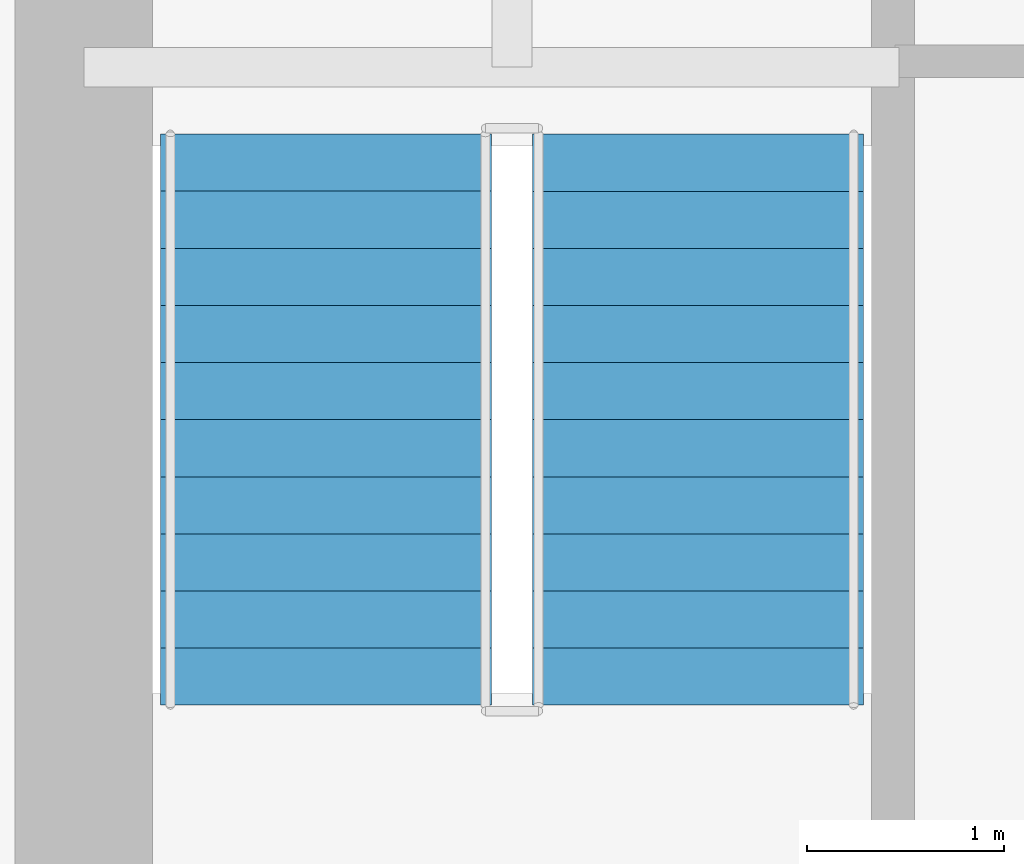
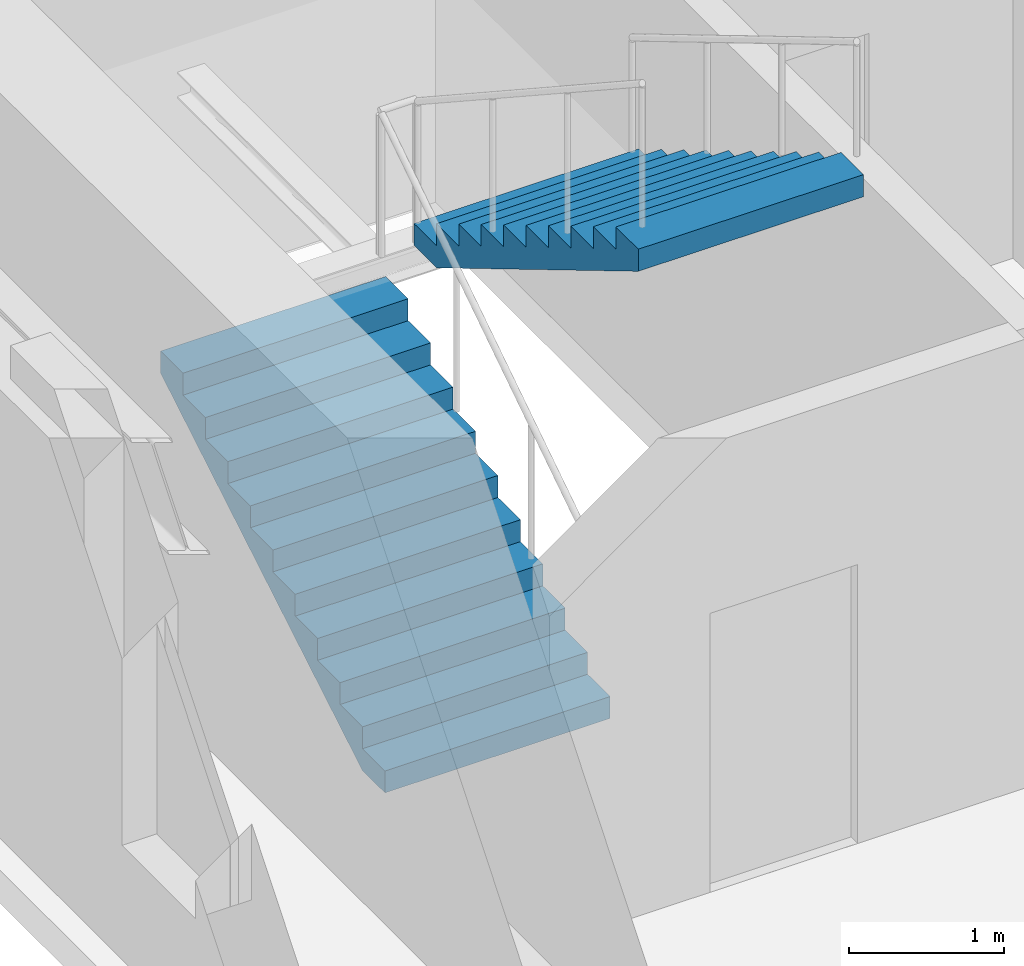
# One storey, part 8 of 13: 2 stair flights, 1 element without a shape of its own.
"""IFC4 building model written with IfcOpenShell, lengths in metres."""

from ifc_helpers import new_model, si_unit, direction, frame, origin, place, context, subcontext, project, spatial, polyline, outline, extrude, material, type_object, element, aggregate, save


model = new_model("IFC4")

# Units and contexts
model_context = context("Model", 3, precision=1e-05, world=origin(), true_north=direction((0.0, 1.0)))
body_context = subcontext(model_context, "Body", "Model", "MODEL_VIEW")
ifc_project = project(units=[si_unit("LENGTHUNIT", "METRE"), si_unit("AREAUNIT", "SQUARE_METRE"), si_unit("VOLUMEUNIT", "CUBIC_METRE"), si_unit("PLANEANGLEUNIT", "RADIAN"), si_unit("MASSUNIT", "GRAM", prefix="KILO")], contexts=[model_context])

# Site, building, storey
site_placement = place(None, origin())
site = spatial("IfcSite", under=ifc_project, at=site_placement, CompositionType="ELEMENT")
building_placement = place(site_placement, origin())
building = spatial("IfcBuilding", under=site, at=building_placement, Name="Norrvale University Quadrangle", CompositionType="ELEMENT")
storey_placement = place(building_placement, frame((0.0, 0.0, 131.800048828125)))
storey = spatial("IfcBuildingStorey", under=building, at=storey_placement, Name="L33", CompositionType="ELEMENT", Elevation=131.800048828125)

# Stair, stair flights
ifc_material = material(Name="Concrete C40/50", Category="concrete")
stair_type = type_object("IfcStairType", Name="Stair Tower Typ 3800", PredefinedType="TWO_STRAIGHT_RUN_STAIR", material=ifc_material)
stair_placement = place(storey_placement, origin())
stair = element("IfcStair", 1, at=stair_placement, inside=storey, type_object=stair_type, Name="Exit Stair ST-02 L33", PredefinedType="TWO_STRAIGHT_RUN_STAIR")
stair_flight_type = type_object("IfcStairFlightType", Name="Flight Typ 1500", PredefinedType="STRAIGHT", material=ifc_material)
stair_flight_1_placement = place(storey_placement, frame((3.429931640625, 42.050048828125, 0.0), z_axis=(0.0, 0.0, 1.0), x_axis=(0.0, 1.0, 0.0)))
stair_flight_1 = element("IfcStairFlight", 2, at=stair_flight_1_placement, type_object=stair_flight_type, Name="Exit Stair ST-02 L33 Lower Flight", NumberOfRisers=11, NumberOfTreads=10, PredefinedType="STRAIGHT", RiserHeight=0.172727, TreadLength=0.29, context=body_context, shape_type="SweptSolid", body=[
    extrude(outline(polyline([(0.0, 0.0), (0.0, 0.172607421875), (0.2900390625, 0.172607421875), (0.2900390625, 0.345458984375), (0.580078125, 0.345458984375), (0.580078125, 0.51806640625), (0.8701171875, 0.51806640625), (0.8701171875, 0.69091796875), (1.159912109375, 0.69091796875), (1.159912109375, 0.863525390625), (1.449951171875, 0.863525390625), (1.449951171875, 1.036376953125), (1.739990234375, 1.036376953125), (1.739990234375, 1.208984375), (2.030029296875, 1.208984375), (2.030029296875, 1.3818359375), (2.320068359375, 1.3818359375), (2.320068359375, 1.554443359375), (2.610107421875, 1.554443359375), (2.610107421875, 1.727294921875), (2.89990234375, 1.727294921875), (2.89990234375, 1.89990234375), (2.89990234375, 1.552734375), (0.29296875, 0.0), (0.0, 0.0)])), frame((0.0, 0.83984375, 0.0), z_axis=(0.0, -1.0, 0.0), x_axis=(1.0, 0.0, 0.0)), (0.0, 0.0, 1.0), 1.679931640625),
])
stair_flight_2_placement = place(storey_placement, frame((5.320068359375, 44.949951171875, 1.89990234375), z_axis=(0.0, 0.0, 1.0), x_axis=(0.0, -1.0, 0.0)))
stair_flight_2 = element("IfcStairFlight", 3, at=stair_flight_2_placement, type_object=stair_flight_type, Name="Exit Stair ST-02 L33 Upper Flight", NumberOfRisers=11, NumberOfTreads=10, PredefinedType="STRAIGHT", RiserHeight=0.172727, TreadLength=0.29, context=body_context, shape_type="SweptSolid", body=[
    extrude(outline(polyline([(0.0, 0.0), (0.0, 0.172607421875), (0.2900390625, 0.172607421875), (0.2900390625, 0.345458984375), (0.580078125, 0.345458984375), (0.580078125, 0.51806640625), (0.8701171875, 0.51806640625), (0.8701171875, 0.69091796875), (1.159912109375, 0.69091796875), (1.159912109375, 0.863525390625), (1.449951171875, 0.863525390625), (1.449951171875, 1.036376953125), (1.739990234375, 1.036376953125), (1.739990234375, 1.208984375), (2.030029296875, 1.208984375), (2.030029296875, 1.3818359375), (2.320068359375, 1.3818359375), (2.320068359375, 1.554443359375), (2.610107421875, 1.554443359375), (2.610107421875, 1.727294921875), (2.89990234375, 1.727294921875), (2.89990234375, 1.89990234375), (2.89990234375, 1.552734375), (0.29296875, 0.0), (0.0, 0.0)])), frame((0.0, 0.83984375, 0.0), z_axis=(0.0, -1.0, 0.0), x_axis=(1.0, 0.0, 0.0)), (0.0, 0.0, 1.0), 1.679931640625),
])
aggregate(stair, [stair_flight_1, stair_flight_2])

save(model, "model.ifc")
